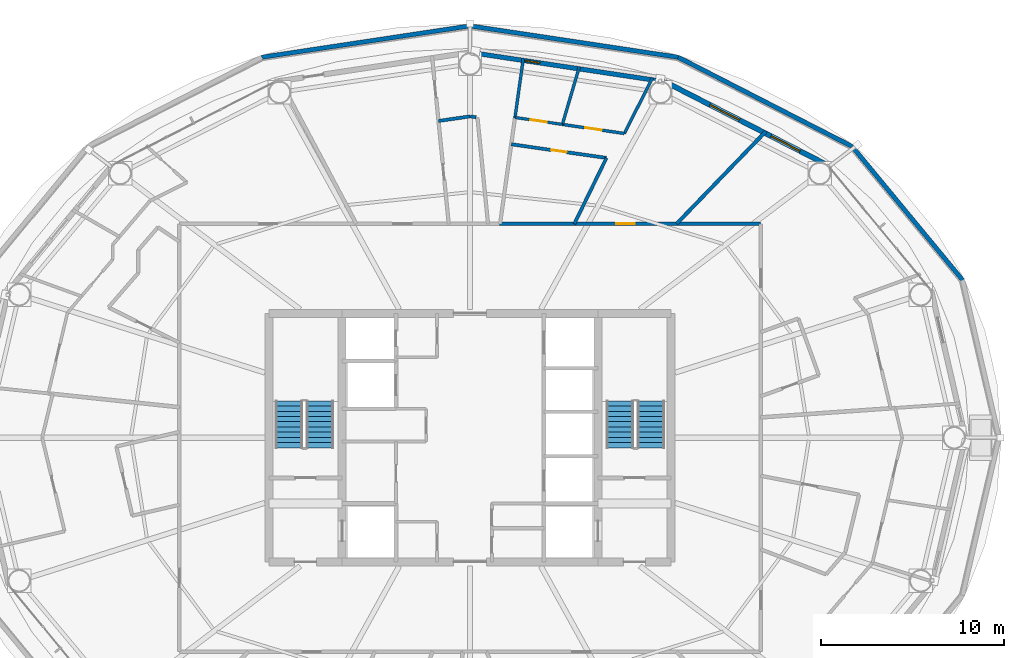
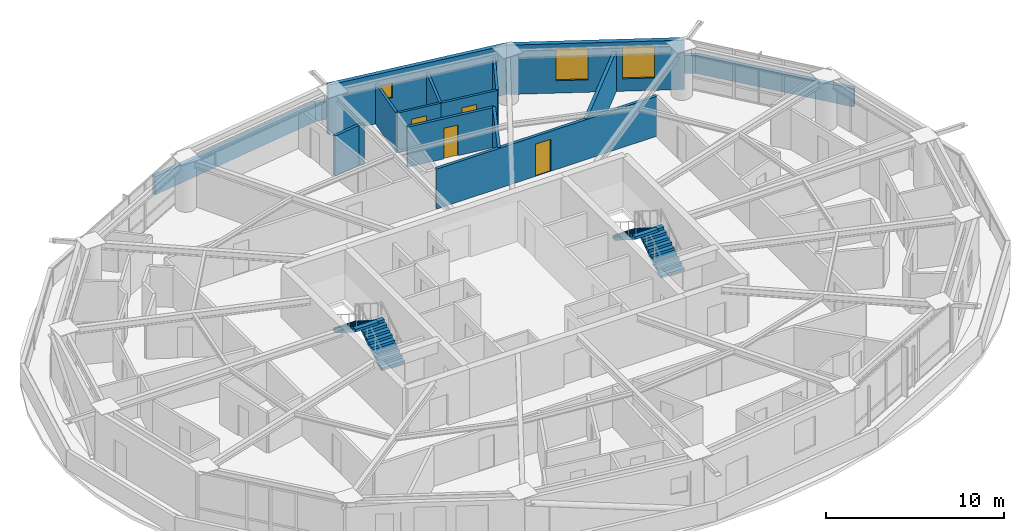
# One storey, part 24 of 27: 17 walls, 4 doors, 4 stair flights, 3 windows, 7 openings, 2 elements without a shape of their own.
"""IFC4 building model written with IfcOpenShell, lengths in metres."""

from ifc_helpers import new_model, si_unit, direction, frame, frame_2d, origin, place, context, subcontext, project, spatial, polyline, rectangle, outline, extrude, material, layer, layer_set, type_object, element, fill, aggregate, save


model = new_model("IFC4")

# Units and contexts
model_context = context("Model", 3, precision=1e-05, world=origin(), true_north=direction((0.0, 1.0)))
body_context = subcontext(model_context, "Body", "Model", "MODEL_VIEW")
ifc_project = project(units=[si_unit("LENGTHUNIT", "METRE"), si_unit("AREAUNIT", "SQUARE_METRE"), si_unit("VOLUMEUNIT", "CUBIC_METRE"), si_unit("PLANEANGLEUNIT", "RADIAN"), si_unit("MASSUNIT", "GRAM", prefix="KILO")], contexts=[model_context])

# Site, building, storey
site_placement = place(None, origin())
site = spatial("IfcSite", under=ifc_project, at=site_placement, CompositionType="ELEMENT")
building_placement = place(site_placement, origin())
building = spatial("IfcBuilding", under=site, at=building_placement, Name="Sarneth Arch Tower", CompositionType="ELEMENT")
storey_placement = place(building_placement, frame((0.0, 0.0, 150.60009765625)))
storey = spatial("IfcBuildingStorey", under=building, at=storey_placement, Name="L37", CompositionType="ELEMENT", Elevation=150.60009765625)

# Wall, opening, door
ifc_material_1 = material(Name="Double steel-stud corridor fire wall", Category="steel")
ifc_layer_1 = layer(ifc_material_1, 0.18994140625)
ifc_layer_set_1 = layer_set([ifc_layer_1], Name="Double steel-stud corridor fire wall")
wall_type_1 = type_object("IfcWallType", Name="WALL-CORR-190", PredefinedType="PARTITIONING", material=ifc_layer_set_1)
wall_1_placement = place(storey_placement, frame((49.612060546875, 53.699951171875, 0.0), z_axis=(0.0, 0.0, 1.0), x_axis=(1.0, 0.0, 0.0)))
wall_1 = element("IfcWall", 1, at=wall_1_placement, inside=storey, type_object=wall_type_1, Name="L37 Interior partition W-L37-TP-005", PredefinedType="PARTITIONING", context=body_context, shape_type="SweptSolid", body=[
    extrude(rectangle(XDim=14.287841796875, YDim=0.18994140625, at=frame_2d((7.14404296875, 0.0))), origin(), (0.0, 0.0, 1.0), 2.739990234375),
])
opening_1_placement = place(wall_1_placement, frame((6.39501953125, 0.0, 0.0)))
opening_1 = element("IfcOpeningElement", 2, at=opening_1_placement, cuts=wall_1, Name="Opening FD-08", PredefinedType="OPENING", context=body_context, shape_type="SweptSolid", body=[
    extrude(rectangle(XDim=1.0, YDim=2.199951171875, at=frame_2d((0.5, 1.10009765625))), frame((0.0, 0.10498046875, 0.0), z_axis=(0.0, -1.0, 0.0), x_axis=(1.0, 0.0, 0.0)), (0.0, 0.0, 1.0), 0.2099609375),
])
ifc_material_2 = material(Name="Hardwood timber acoustic fire door", Category="wood")
door_type_1 = type_object("IfcDoorType", Name="DR-FD60-1000", OperationType="SINGLE_SWING_LEFT", PredefinedType="DOOR", material=ifc_material_2)
door_1_placement = place(opening_1_placement, origin())
door_1 = element("IfcDoor", 3, at=door_1_placement, inside=storey, type_object=door_type_1, Name="L37 Interior door DR-L37-U2-ENT", OperationType="SINGLE_SWING_LEFT", OverallHeight=2.199951171875, OverallWidth=1.0, PredefinedType="DOOR", context=body_context, shape_type="SweptSolid", body=[
    extrude(rectangle(XDim=1.0, YDim=2.199951171875, at=frame_2d((0.5, 1.10009765625))), frame((0.0, 0.02490234375, 0.0), z_axis=(0.0, -1.0, 0.0), x_axis=(1.0, 0.0, 0.0)), (0.0, 0.0, 1.0), 0.050048828125),
])
fill(opening_1, door_1)

# Wall, opening, window
ifc_material_3 = material(Name="Extruded terracotta rainscreen on Concrete C40/50 backing", Category="masonry")
ifc_layer_2 = layer(ifc_material_3, 0.25)
ifc_layer_set_2 = layer_set([ifc_layer_2], Name="Extruded terracotta rainscreen on Concrete C40/50 backing")
wall_type_2 = type_object("IfcWallType", Name="WALL-EXT-SPAND-250", PredefinedType="SOLIDWALL", material=ifc_layer_set_2)
wall_2_placement = place(storey_placement, frame((58.662841796875, 61.475341796875, 0.0), z_axis=(0.0, 0.0, 1.0), x_axis=(-0.988863993413, 0.148822049884, 0.0)))
wall_2 = element("IfcWall", 4, at=wall_2_placement, inside=storey, type_object=wall_type_2, Name="L37 Terracotta perimeter wall 04", PredefinedType="SOLIDWALL", context=body_context, shape_type="SweptSolid", body=[
    extrude(rectangle(XDim=10.782958984375, YDim=0.25, at=frame_2d((5.3916015625, 0.0))), origin(), (0.0, 0.0, 1.0), 3.3798828125),
])
opening_2_placement = place(wall_2_placement, frame((6.91015625, 0.0, 1.5400390625)))
opening_2 = element("IfcOpeningElement", 5, at=opening_2_placement, cuts=wall_2, Name="Opening W-15", PredefinedType="OPENING", context=body_context, shape_type="SweptSolid", body=[
    extrude(rectangle(XDim=0.800048828125, YDim=1.0, at=frame_2d((0.39990234375, 0.5))), frame((0.0, 0.135009765625, 0.0), z_axis=(0.0, -1.0, 0.0), x_axis=(1.0, 0.0, 0.0)), (0.0, 0.0, 1.0), 0.27001953125),
])
ifc_material_4 = material(Name="Thermally broken Aluminium 6063-T6 and low-e laminated IGU", Category="aluminium")
window_type_1 = type_object("IfcWindowType", Name="WIN-TWR-800x1000", PartitioningType="SINGLE_PANEL", PredefinedType="WINDOW", material=ifc_material_4)
window_1_placement = place(opening_2_placement, origin())
window_1 = element("IfcWindow", 6, at=window_1_placement, inside=storey, type_object=window_type_1, Name="L37 Dwelling bedroom window 01", OverallHeight=1.0, OverallWidth=0.800048828125, PartitioningType="SINGLE_PANEL", PredefinedType="WINDOW", context=body_context, shape_type="SweptSolid", body=[
    extrude(rectangle(XDim=0.800048828125, YDim=1.0, at=frame_2d((0.39990234375, 0.5))), frame((0.0, 0.030029296875, 0.0), z_axis=(0.0, -1.0, 0.0), x_axis=(1.0, 0.0, 0.0)), (0.0, 0.0, 1.0), 0.06005859375),
])
fill(opening_2, window_1)

# Wall, openings, windows
ifc_material_5 = material(Name="Extruded terracotta rainscreen on Concrete C40/50 backing", Category="masonry")
ifc_layer_3 = layer(ifc_material_5, 0.280029296875)
ifc_layer_set_3 = layer_set([ifc_layer_3], Name="Extruded terracotta rainscreen on Concrete C40/50 backing")
wall_type_3 = type_object("IfcWallType", Name="WALL-EXT-TERRA-280", PredefinedType="SOLIDWALL", material=ifc_layer_set_3)
wall_3_placement = place(storey_placement, frame((67.576171875, 56.90576171875, 0.0), z_axis=(0.0, 0.0, 1.0), x_axis=(-0.889872523182, 0.456209263919, 0.0)))
wall_3 = element("IfcWall", 7, at=wall_3_placement, inside=storey, type_object=wall_type_3, Name="L37 Terracotta perimeter wall 03", PredefinedType="SOLIDWALL", context=body_context, shape_type="SweptSolid", body=[
    extrude(rectangle(XDim=10.016357421875, YDim=0.280029296875, at=frame_2d((5.00830078125, 0.0))), origin(), (0.0, 0.0, 1.0), 3.3798828125),
])
opening_3_placement = place(wall_3_placement, frame((1.7001953125, 0.0, 0.85009765625)))
opening_3 = element("IfcOpeningElement", 8, at=opening_3_placement, cuts=wall_3, Name="Opening W-04", PredefinedType="OPENING", context=body_context, shape_type="SweptSolid", body=[
    extrude(rectangle(XDim=1.800048828125, YDim=2.199951171875, at=frame_2d((0.89990234375, 1.10009765625))), frame((0.0, 0.14990234375, 0.0), z_axis=(0.0, -1.0, 0.0), x_axis=(1.0, 0.0, 0.0)), (0.0, 0.0, 1.0), 0.300048828125),
])
opening_4_placement = place(wall_3_placement, frame((5.4375, 0.0, 0.85009765625)))
opening_4 = element("IfcOpeningElement", 9, at=opening_4_placement, cuts=wall_3, Name="Opening W-04", PredefinedType="OPENING", context=body_context, shape_type="SweptSolid", body=[
    extrude(rectangle(XDim=1.800048828125, YDim=2.199951171875, at=frame_2d((0.89990234375, 1.10009765625))), frame((0.0, 0.14990234375, 0.0), z_axis=(0.0, -1.0, 0.0), x_axis=(1.0, 0.0, 0.0)), (0.0, 0.0, 1.0), 0.300048828125),
])
ifc_material_6 = material(Name="Thermally broken Aluminium 6063-T6 and low-e laminated IGU", Category="aluminium")
window_type_2 = type_object("IfcWindowType", Name="WIN-TWR-1800x2200", PartitioningType="DOUBLE_PANEL_VERTICAL", PredefinedType="WINDOW", material=ifc_material_6)
window_2_placement = place(opening_3_placement, origin())
window_2 = element("IfcWindow", 10, at=window_2_placement, inside=storey, type_object=window_type_2, Name="L37 Exterior window 03A", OverallHeight=2.199951171875, OverallWidth=1.800048828125, PartitioningType="SINGLE_PANEL", PredefinedType="WINDOW", context=body_context, shape_type="SweptSolid", body=[
    extrude(rectangle(XDim=1.800048828125, YDim=2.199951171875, at=frame_2d((0.89990234375, 1.10009765625))), frame((0.0, 0.030029296875, 0.0), z_axis=(0.0, -1.0, 0.0), x_axis=(1.0, 0.0, 0.0)), (0.0, 0.0, 1.0), 0.06005859375),
])
fill(opening_3, window_2)
window_3_placement = place(opening_4_placement, origin())
window_3 = element("IfcWindow", 11, at=window_3_placement, inside=storey, type_object=window_type_2, Name="L37 Exterior window 03B", OverallHeight=2.199951171875, OverallWidth=1.800048828125, PartitioningType="SINGLE_PANEL", PredefinedType="WINDOW", context=body_context, shape_type="SweptSolid", body=[
    extrude(rectangle(XDim=1.800048828125, YDim=2.199951171875, at=frame_2d((0.89990234375, 1.10009765625))), frame((0.0, 0.030029296875, 0.0), z_axis=(0.0, -1.0, 0.0), x_axis=(1.0, 0.0, 0.0)), (0.0, 0.0, 1.0), 0.06005859375),
])
fill(opening_4, window_3)

# Walls
ifc_material_7 = material(Name="Extruded terracotta rainscreen on Concrete C40/50 backing", Category="masonry")
ifc_layer_4 = layer(ifc_material_7, 0.239990234375)
ifc_layer_set_4 = layer_set([ifc_layer_4], Name="Extruded terracotta rainscreen on Concrete C40/50 backing")
wall_type_4 = type_object("IfcWallType", Name="WALL-PARAPET-240", PredefinedType="PARAPET", material=ifc_layer_set_4)
wall_4_placement = place(storey_placement, frame((74.951904296875, 50.621826171875, 0.0), z_axis=(0.0, 0.0, 1.0), x_axis=(-0.637107627078, 0.770774851379, 0.0)))
element("IfcWall", 12, at=wall_4_placement, inside=storey, type_object=wall_type_4, Name="L37 Setback roof parapet 02", PredefinedType="PARAPET", context=body_context, shape_type="SweptSolid", body=[
    extrude(rectangle(XDim=9.483154296875, YDim=0.239990234375, at=frame_2d((4.74169921875, 0.0))), origin(), (0.0, 0.0, 1.0), 1.25),
])
wall_5_placement = place(storey_placement, frame((68.91015625, 57.93115234375, 0.0), z_axis=(0.0, 0.0, 1.0), x_axis=(-0.8897661473, 0.456416698992, 0.0)))
element("IfcWall", 13, at=wall_5_placement, inside=storey, type_object=wall_type_4, Name="L37 Setback roof parapet 03", PredefinedType="PARAPET", context=body_context, shape_type="SweptSolid", body=[
    extrude(rectangle(XDim=10.7001953125, YDim=0.239990234375, at=frame_2d((5.35009765625, 0.0))), origin(), (0.0, 0.0, 1.0), 1.25),
])
for number, where, z_axis, x_axis, name in (
    (14, (59.389404296875, 62.81494140625, 0.0), (0.0, 0.0, 1.0), (-0.988851144077, 0.148907403638, 0.0), "L37 Setback roof parapet 04"),
    (15, (48.0, 64.530029296875, 0.0), (0.0, 0.0, 1.0), (-0.988851144077, -0.148907403638, 0.0), "L37 Setback roof parapet 05"),
):
    element("IfcWall", number, at=place(storey_placement, frame(where, z_axis=z_axis, x_axis=x_axis)), inside=storey, type_object=wall_type_4, Name=name, PredefinedType="PARAPET", context=body_context, shape_type="SweptSolid", body=[
        extrude(rectangle(XDim=11.517822265625, YDim=0.239990234375, at=frame_2d((5.7587890625, 0.0))), origin(), (0.0, 0.0, 1.0), 1.25),
    ])

# Wall, opening, door
ifc_material_8 = material(Name="Acoustic gypsum stud partition", Category="gypsum")
ifc_layer_5 = layer(ifc_material_8, 0.14990234375)
ifc_layer_set_5 = layer_set([ifc_layer_5], Name="Acoustic gypsum stud partition")
wall_type_5 = type_object("IfcWallType", Name="WALL-PART-150", PredefinedType="PARTITIONING", material=ifc_layer_set_5)
wall_6_placement = place(storey_placement, frame((53.052978515625, 59.140869140625, 0.0), z_axis=(0.0, 0.0, 1.0), x_axis=(-0.989458783037, 0.144814766757, 0.0)))
wall_6 = element("IfcWall", 16, at=wall_6_placement, inside=storey, type_object=wall_type_5, Name="L37 Interior partition W-L37-TP-041", PredefinedType="PARTITIONING", context=body_context, shape_type="SweptSolid", body=[
    extrude(rectangle(XDim=2.6181640625, YDim=0.14990234375, at=frame_2d((1.30908203125, 0.0))), origin(), (0.0, 0.0, 1.0), 2.739990234375),
])
opening_5_placement = place(wall_6_placement, frame((0.859130859375, 0.0, 0.0)))
opening_5 = element("IfcOpeningElement", 17, at=opening_5_placement, cuts=wall_6, Name="Opening ID-01", PredefinedType="OPENING", context=body_context, shape_type="SweptSolid", body=[
    extrude(rectangle(XDim=0.89990234375, YDim=2.10009765625, at=frame_2d((0.449951171875, 1.050048828125))), frame((0.0, 0.0849609375, 0.0), z_axis=(0.0, -1.0, 0.0), x_axis=(1.0, 0.0, 0.0)), (0.0, 0.0, 1.0), 0.169921875),
])
ifc_material_9 = material(Name="Engineered hardwood flush door", Category="wood")
door_type_2 = type_object("IfcDoorType", Name="DR-INT-900", OperationType="SINGLE_SWING_LEFT", PredefinedType="DOOR", material=ifc_material_9)
door_2_placement = place(opening_5_placement, origin())
door_2 = element("IfcDoor", 18, at=door_2_placement, inside=storey, type_object=door_type_2, Name="L37 Interior door DR-L37-U2-BED1", OperationType="SINGLE_SWING_LEFT", OverallHeight=2.10009765625, OverallWidth=0.89990234375, PredefinedType="DOOR", context=body_context, shape_type="SweptSolid", body=[
    extrude(rectangle(XDim=0.89990234375, YDim=2.10009765625, at=frame_2d((0.449951171875, 1.050048828125))), frame((0.0, 0.02490234375, 0.0), z_axis=(0.0, -1.0, 0.0), x_axis=(1.0, 0.0, 0.0)), (0.0, 0.0, 1.0), 0.050048828125),
])
fill(opening_5, door_2)

ifc_material_10 = material(Name="Kitchen wet service chase wall", Category="gypsum")
ifc_layer_6 = layer(ifc_material_10, 0.159912109375)
ifc_layer_set_6 = layer_set([ifc_layer_6], Name="Kitchen wet service chase wall")
wall_type_6 = type_object("IfcWallType", Name="WALL-PLUMB-160", PredefinedType="PLUMBINGWALL", material=ifc_layer_set_6)
wall_7_placement = place(storey_placement, frame((56.442138671875, 58.645263671875, 0.0), z_axis=(0.0, 0.0, 1.0), x_axis=(-0.989476501308, 0.144693653483, 0.0)))
wall_7 = element("IfcWall", 19, at=wall_7_placement, inside=storey, type_object=wall_type_6, Name="L37 Interior partition W-L37-TP-038", PredefinedType="PLUMBINGWALL", context=body_context, shape_type="SweptSolid", body=[
    extrude(rectangle(XDim=3.42529296875, YDim=0.159912109375, at=frame_2d((1.712646484375, 0.0))), origin(), (0.0, 0.0, 1.0), 2.739990234375),
])
opening_6_placement = place(wall_7_placement, frame((1.2626953125, 0.0, 0.0)))
opening_6 = element("IfcOpeningElement", 20, at=opening_6_placement, cuts=wall_7, Name="Opening ID-01", PredefinedType="OPENING", context=body_context, shape_type="SweptSolid", body=[
    extrude(rectangle(XDim=0.89990234375, YDim=2.10009765625, at=frame_2d((0.449951171875, 1.050048828125))), frame((0.0, 0.08984375, 0.0), z_axis=(0.0, -1.0, 0.0), x_axis=(1.0, 0.0, 0.0)), (0.0, 0.0, 1.0), 0.179931640625),
])
door_3_placement = place(opening_6_placement, origin())
door_3 = element("IfcDoor", 21, at=door_3_placement, inside=storey, type_object=door_type_2, Name="L37 Interior door DR-L37-U2-KIT", OperationType="SINGLE_SWING_LEFT", OverallHeight=2.10009765625, OverallWidth=0.89990234375, PredefinedType="DOOR", context=body_context, shape_type="SweptSolid", body=[
    extrude(rectangle(XDim=0.89990234375, YDim=2.10009765625, at=frame_2d((0.449951171875, 1.050048828125))), frame((0.0, 0.02490234375, 0.0), z_axis=(0.0, -1.0, 0.0), x_axis=(1.0, 0.0, 0.0)), (0.0, 0.0, 1.0), 0.050048828125),
])
fill(opening_6, door_3)

# Walls
wall_8_placement = place(storey_placement, frame((57.98779296875, 61.692138671875, 0.0), z_axis=(0.0, 0.0, 1.0), x_axis=(-0.452408261564, -0.89181094682, 0.0)))
element("IfcWall", 22, at=wall_8_placement, inside=storey, type_object=wall_type_6, Name="L37 Interior partition W-L37-TP-037", PredefinedType="PLUMBINGWALL", context=body_context, shape_type="SweptSolid", body=[
    extrude(rectangle(XDim=3.41650390625, YDim=0.159912109375, at=frame_2d((1.708251953125, 0.0))), origin(), (0.0, 0.0, 1.0), 2.739990234375),
])
wall_9_placement = place(storey_placement, frame((50.91796875, 62.76220703125, 0.0), z_axis=(0.0, 0.0, 1.0), x_axis=(-0.139198258336, -0.990264532777, 0.0)))
element("IfcWall", 23, at=wall_9_placement, inside=storey, type_object=wall_type_6, Name="L37 Interior partition W-L37-TP-045", PredefinedType="PLUMBINGWALL", context=body_context, shape_type="SweptSolid", body=[
    extrude(rectangle(XDim=3.30615234375, YDim=0.159912109375, at=frame_2d((1.653076171875, 0.0))), origin(), (0.0, 0.0, 1.0), 2.739990234375),
])
wall_10_placement = place(storey_placement, frame((53.052978515625, 59.140869140625, 0.0), z_axis=(0.0, 0.0, 1.0), x_axis=(0.282828521875, 0.959170489128, 0.0)))
element("IfcWall", 24, at=wall_10_placement, inside=storey, type_object=wall_type_6, Name="L37 Interior partition W-L37-TP-043", PredefinedType="PLUMBINGWALL", context=body_context, shape_type="SweptSolid", body=[
    extrude(rectangle(XDim=3.293212890625, YDim=0.159912109375, at=frame_2d((1.646484375, 0.0))), origin(), (0.0, 0.0, 1.0), 2.739990234375),
])

# Wall, opening, door
ifc_material_11 = material(Name="Moisture-resistant plumbing chase wall", Category="gypsum")
ifc_layer_7 = layer(ifc_material_11, 0.179931640625)
ifc_layer_set_7 = layer_set([ifc_layer_7], Name="Moisture-resistant plumbing chase wall")
wall_type_7 = type_object("IfcWallType", Name="WALL-PLUMB-180", PredefinedType="PLUMBINGWALL", material=ifc_layer_set_7)
wall_11_placement = place(storey_placement, frame((55.465576171875, 57.306884765625, 0.0), z_axis=(0.0, 0.0, 1.0), x_axis=(-0.989825713309, 0.142285126674, 0.0)))
wall_11 = element("IfcWall", 25, at=wall_11_placement, inside=storey, type_object=wall_type_7, Name="L37 Interior partition W-L37-TP-040", PredefinedType="PLUMBINGWALL", context=body_context, shape_type="SweptSolid", body=[
    extrude(rectangle(XDim=5.262451171875, YDim=0.179931640625, at=frame_2d((2.63134765625, 0.0))), origin(), (0.0, 0.0, 1.0), 2.739990234375),
])
opening_7_placement = place(wall_11_placement, frame((2.206298828125, 0.0, 0.0)))
opening_7 = element("IfcOpeningElement", 26, at=opening_7_placement, cuts=wall_11, Name="Opening ID-02", PredefinedType="OPENING", context=body_context, shape_type="SweptSolid", body=[
    extrude(rectangle(XDim=0.85009765625, YDim=2.10009765625, at=frame_2d((0.425048828125, 1.050048828125))), frame((0.0, 0.099853515625, 0.0), z_axis=(0.0, -1.0, 0.0), x_axis=(1.0, 0.0, 0.0)), (0.0, 0.0, 1.0), 0.199951171875),
])
ifc_material_12 = material(Name="Moisture-resistant bathroom timber door", Category="wood")
door_type_3 = type_object("IfcDoorType", Name="DR-INT-850", OperationType="SINGLE_SWING_RIGHT", PredefinedType="DOOR", material=ifc_material_12)
door_4_placement = place(opening_7_placement, origin())
door_4 = element("IfcDoor", 27, at=door_4_placement, inside=storey, type_object=door_type_3, Name="L37 Interior door DR-L37-U2-BATH", OperationType="SINGLE_SWING_LEFT", OverallHeight=2.10009765625, OverallWidth=0.85009765625, PredefinedType="DOOR", context=body_context, shape_type="SweptSolid", body=[
    extrude(rectangle(XDim=0.85009765625, YDim=2.10009765625, at=frame_2d((0.425048828125, 1.050048828125))), frame((0.0, 0.02490234375, 0.0), z_axis=(0.0, -1.0, 0.0), x_axis=(1.0, 0.0, 0.0)), (0.0, 0.0, 1.0), 0.050048828125),
])
fill(opening_7, door_4)

# Walls
wall_12_placement = place(storey_placement, frame((53.70654296875, 53.699951171875, 0.0), z_axis=(0.0, 0.0, 1.0), x_axis=(0.438333733087, 0.898812293217, 0.0)))
element("IfcWall", 28, at=wall_12_placement, inside=storey, type_object=wall_type_7, Name="L37 Interior partition W-L37-TP-039", PredefinedType="PLUMBINGWALL", context=body_context, shape_type="SweptSolid", body=[
    extrude(rectangle(XDim=4.012939453125, YDim=0.179931640625, at=frame_2d((2.00634765625, 0.0))), origin(), (0.0, 0.0, 1.0), 2.739990234375),
])
wall_13_placement = place(storey_placement, frame((46.2763671875, 59.32958984375, 0.0), z_axis=(0.0, 0.0, 1.0), x_axis=(0.989604582355, 0.143815056869, 0.0)))
element("IfcWall", 29, at=wall_13_placement, inside=storey, type_object=wall_type_7, Name="L37 Interior partition W-L37-TP-049", PredefinedType="PLUMBINGWALL", context=body_context, shape_type="SweptSolid", body=[
    extrude(rectangle(XDim=1.74169921875, YDim=0.179931640625, at=frame_2d((0.870849609375, 0.0))), origin(), (0.0, 0.0, 1.0), 2.739990234375),
])
wall_14_placement = place(storey_placement, frame((48.011962890625, 59.578369140625, 0.0), z_axis=(0.0, 0.0, 1.0), x_axis=(0.989603801202, -0.143820431952, 0.0)))
element("IfcWall", 30, at=wall_14_placement, inside=storey, type_object=wall_type_7, Name="L37 Interior partition W-L37-TP-050", PredefinedType="PLUMBINGWALL", context=body_context, shape_type="SweptSolid", body=[
    extrude(rectangle(XDim=0.32763671875, YDim=0.179931640625, at=frame_2d((0.163818359375, 0.0))), origin(), (0.0, 0.0, 1.0), 2.739990234375),
])
ifc_material_13 = material(Name="Double steel-stud acoustic drywall", Category="steel")
ifc_layer_8 = layer(ifc_material_13, 0.199951171875)
ifc_layer_set_8 = layer_set([ifc_layer_8], Name="Double steel-stud acoustic drywall")
wall_type_8 = type_object("IfcWallType", Name="WALL-UNIT-200", PredefinedType="PARTITIONING", material=ifc_layer_set_8)
wall_15_placement = place(storey_placement, frame((64.193603515625, 58.76904296875, 0.0), z_axis=(0.0, 0.0, 1.0), x_axis=(-0.694647685064, -0.719350118952, 0.0)))
element("IfcWall", 31, at=wall_15_placement, inside=storey, type_object=wall_type_8, Name="L37 Interior partition W-L37-TP-033", PredefinedType="PARTITIONING", context=body_context, shape_type="SweptSolid", body=[
    extrude(rectangle(XDim=7.046875, YDim=0.199951171875, at=frame_2d((3.5234375, 0.0))), origin(), (0.0, 0.0, 1.0), 2.739990234375),
])

# Stair, stair flights
ifc_material_14 = material(Name="Concrete C50/60", Category="concrete")
stair_type = type_object("IfcStairType", Name="STAIR-CORE-RC", PredefinedType="HALF_TURN_STAIR", material=ifc_material_14)
stair_1_placement = place(storey_placement, origin())
stair_1 = element("IfcStair", 32, at=stair_1_placement, inside=storey, type_object=stair_type, Name="L37 Core Exit Stair 1", PredefinedType="HALF_TURN_STAIR")
ifc_material_15 = material(Name="Concrete C50/60", Category="concrete")
stair_flight_type = type_object("IfcStairFlightType", Name="FLIGHT-RC-1500", PredefinedType="STRAIGHT", material=ifc_material_15)
stair_flight_1_placement = place(storey_placement, frame((39.800048828125, 41.449951171875, 0.0), z_axis=(0.0, 0.0, 1.0), x_axis=(0.0, 1.0, 0.0)))
stair_flight_1 = element("IfcStairFlight", 33, at=stair_flight_1_placement, type_object=stair_flight_type, Name="ST-1 flight 1", NumberOfRisers=10, NumberOfTreads=9, PredefinedType="STRAIGHT", RiserHeight=0.18, TreadLength=0.285, context=body_context, shape_type="SweptSolid", body=[
    extrude(outline(polyline([(0.0, 0.0), (0.0, 0.179931640625), (0.284912109375, 0.179931640625), (0.284912109375, 0.360107421875), (0.570068359375, 0.360107421875), (0.570068359375, 0.5400390625), (0.85498046875, 0.5400390625), (0.85498046875, 0.719970703125), (1.139892578125, 0.719970703125), (1.139892578125, 0.89990234375), (1.425048828125, 0.89990234375), (1.425048828125, 1.080078125), (1.7099609375, 1.080078125), (1.7099609375, 1.260009765625), (1.9951171875, 1.260009765625), (1.9951171875, 1.43994140625), (2.280029296875, 1.43994140625), (2.280029296875, 1.6201171875), (2.56494140625, 1.6201171875), (2.56494140625, 1.800048828125), (2.56494140625, 1.442626953125), (0.28076171875, 0.0), (0.0, 0.0)])), frame((0.0, 0.75, 0.0), z_axis=(0.0, -1.0, 0.0), x_axis=(1.0, 0.0, 0.0)), (0.0, 0.0, 1.0), 1.5),
])
stair_flight_2_placement = place(storey_placement, frame((38.10009765625, 44.014892578125, 1.7998046875), z_axis=(0.0, 0.0, 1.0), x_axis=(0.0, -1.0, 0.0)))
stair_flight_2 = element("IfcStairFlight", 34, at=stair_flight_2_placement, type_object=stair_flight_type, Name="ST-1 flight 2", NumberOfRisers=10, NumberOfTreads=9, PredefinedType="STRAIGHT", RiserHeight=0.18, TreadLength=0.285, context=body_context, shape_type="SweptSolid", body=[
    extrude(outline(polyline([(0.0, 0.0), (0.0, 0.179931640625), (0.284912109375, 0.179931640625), (0.284912109375, 0.360107421875), (0.570068359375, 0.360107421875), (0.570068359375, 0.5400390625), (0.85498046875, 0.5400390625), (0.85498046875, 0.719970703125), (1.139892578125, 0.719970703125), (1.139892578125, 0.89990234375), (1.425048828125, 0.89990234375), (1.425048828125, 1.080078125), (1.7099609375, 1.080078125), (1.7099609375, 1.260009765625), (1.9951171875, 1.260009765625), (1.9951171875, 1.43994140625), (2.280029296875, 1.43994140625), (2.280029296875, 1.6201171875), (2.56494140625, 1.6201171875), (2.56494140625, 1.800048828125), (2.56494140625, 1.442626953125), (0.28076171875, 0.0), (0.0, 0.0)])), frame((0.0, 0.75, 0.0), z_axis=(0.0, -1.0, 0.0), x_axis=(1.0, 0.0, 0.0)), (0.0, 0.0, 1.0), 1.5),
])
aggregate(stair_1, [stair_flight_1, stair_flight_2])

stair_2_placement = place(storey_placement, origin())
stair_2 = element("IfcStair", 35, at=stair_2_placement, inside=storey, type_object=stair_type, Name="L37 Core Exit Stair 2", PredefinedType="HALF_TURN_STAIR")
stair_flight_3_placement = place(storey_placement, frame((57.89990234375, 41.449951171875, 0.0), z_axis=(0.0, 0.0, 1.0), x_axis=(0.0, 1.0, 0.0)))
stair_flight_3 = element("IfcStairFlight", 36, at=stair_flight_3_placement, type_object=stair_flight_type, Name="ST-2 flight 1", NumberOfRisers=10, NumberOfTreads=9, PredefinedType="STRAIGHT", RiserHeight=0.18, TreadLength=0.285, context=body_context, shape_type="SweptSolid", body=[
    extrude(outline(polyline([(0.0, 0.0), (0.0, 0.179931640625), (0.284912109375, 0.179931640625), (0.284912109375, 0.360107421875), (0.570068359375, 0.360107421875), (0.570068359375, 0.5400390625), (0.85498046875, 0.5400390625), (0.85498046875, 0.719970703125), (1.139892578125, 0.719970703125), (1.139892578125, 0.89990234375), (1.425048828125, 0.89990234375), (1.425048828125, 1.080078125), (1.7099609375, 1.080078125), (1.7099609375, 1.260009765625), (1.9951171875, 1.260009765625), (1.9951171875, 1.43994140625), (2.280029296875, 1.43994140625), (2.280029296875, 1.6201171875), (2.56494140625, 1.6201171875), (2.56494140625, 1.800048828125), (2.56494140625, 1.442626953125), (0.28076171875, 0.0), (0.0, 0.0)])), frame((0.0, 0.75, 0.0), z_axis=(0.0, -1.0, 0.0), x_axis=(1.0, 0.0, 0.0)), (0.0, 0.0, 1.0), 1.5),
])
stair_flight_4_placement = place(storey_placement, frame((56.199951171875, 44.014892578125, 1.7998046875), z_axis=(0.0, 0.0, 1.0), x_axis=(0.0, -1.0, 0.0)))
stair_flight_4 = element("IfcStairFlight", 37, at=stair_flight_4_placement, type_object=stair_flight_type, Name="ST-2 flight 2", NumberOfRisers=10, NumberOfTreads=9, PredefinedType="STRAIGHT", RiserHeight=0.18, TreadLength=0.285, context=body_context, shape_type="SweptSolid", body=[
    extrude(outline(polyline([(0.0, 0.0), (0.0, 0.179931640625), (0.284912109375, 0.179931640625), (0.284912109375, 0.360107421875), (0.570068359375, 0.360107421875), (0.570068359375, 0.5400390625), (0.85498046875, 0.5400390625), (0.85498046875, 0.719970703125), (1.139892578125, 0.719970703125), (1.139892578125, 0.89990234375), (1.425048828125, 0.89990234375), (1.425048828125, 1.080078125), (1.7099609375, 1.080078125), (1.7099609375, 1.260009765625), (1.9951171875, 1.260009765625), (1.9951171875, 1.43994140625), (2.280029296875, 1.43994140625), (2.280029296875, 1.6201171875), (2.56494140625, 1.6201171875), (2.56494140625, 1.800048828125), (2.56494140625, 1.442626953125), (0.28076171875, 0.0), (0.0, 0.0)])), frame((0.0, 0.75, 0.0), z_axis=(0.0, -1.0, 0.0), x_axis=(1.0, 0.0, 0.0)), (0.0, 0.0, 1.0), 1.5),
])
aggregate(stair_2, [stair_flight_3, stair_flight_4])

save(model, "model.ifc")
